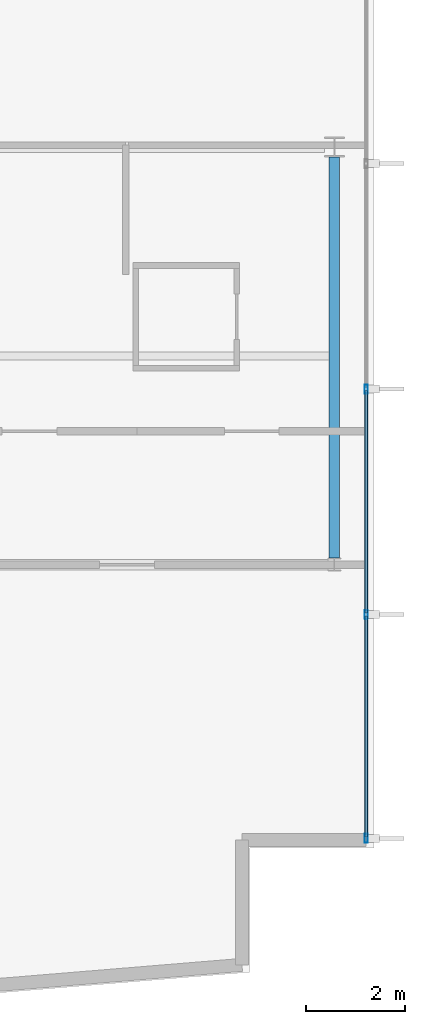
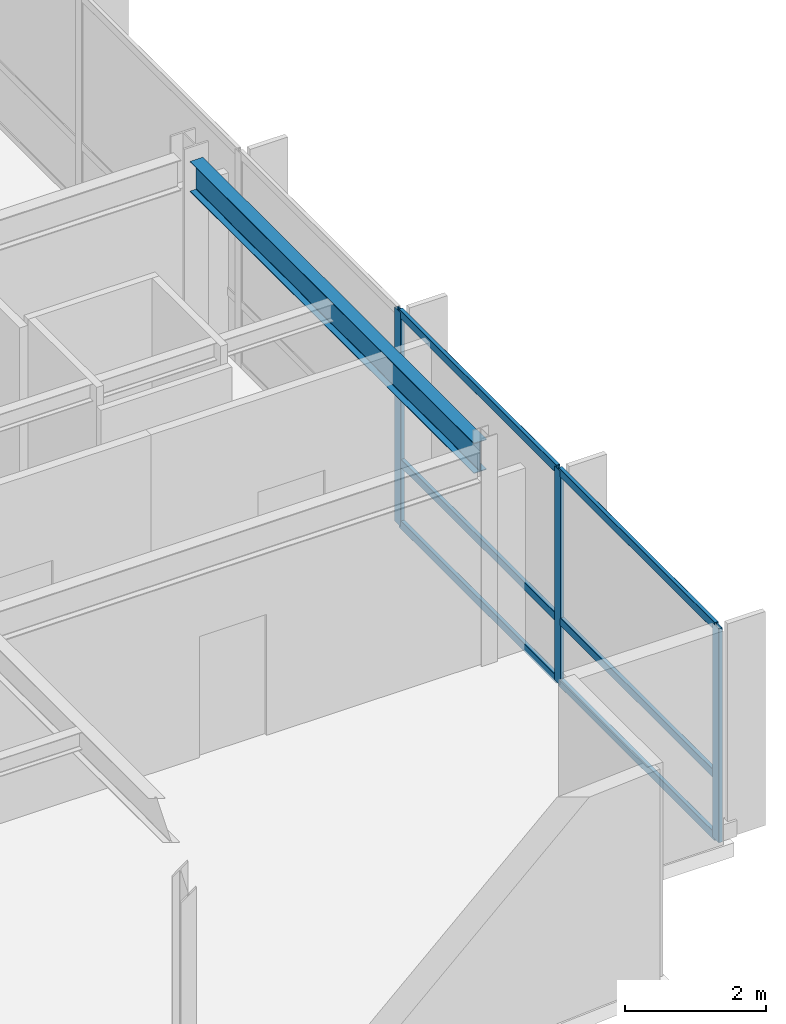
# One storey, part 5 of 17: 9 members, 1 beam, 1 element without a shape of its own.
"""IFC4 building model written with IfcOpenShell, lengths in metres."""

from ifc_helpers import new_model, si_unit, direction, frame, origin, origin_2d, place, context, subcontext, project, spatial, hollow_rectangle, i_section, extrude, material, layer, layer_set, material_profile, profile_set, type_object, element, aggregate, save


model = new_model("IFC4")

# Units and contexts
model_context = context("Model", 3, precision=1e-05, world=origin(), true_north=direction((0.0, 1.0)))
body_context = subcontext(model_context, "Body", "Model", "MODEL_VIEW")
ifc_project = project(units=[si_unit("LENGTHUNIT", "METRE"), si_unit("AREAUNIT", "SQUARE_METRE"), si_unit("VOLUMEUNIT", "CUBIC_METRE"), si_unit("PLANEANGLEUNIT", "RADIAN"), si_unit("MASSUNIT", "GRAM", prefix="KILO")], contexts=[model_context])

# Site, building, storey
site_placement = place(None, origin())
site = spatial("IfcSite", under=ifc_project, at=site_placement, CompositionType="ELEMENT")
building_placement = place(site_placement, origin())
building = spatial("IfcBuilding", under=site, at=building_placement, Name="Varnakote Quay Hospital", CompositionType="ELEMENT")
storey_placement = place(building_placement, frame((0.0, 0.0, 203.949951171875)))
storey = spatial("IfcBuildingStorey", under=building, at=storey_placement, Name="L50", CompositionType="ELEMENT", Elevation=203.949951171875)

# Beam
ifc_material_1 = material(Name="Structural steel AS/NZS 3679.1 Grade 350 L0 (fy 340 MPa)", Category="steel")
ifc_material_profile_1 = material_profile(ifc_material_1, i_section(OverallWidth=0.208984375, OverallDepth=0.528076171875, WebThickness=0.009521484375, FlangeThickness=0.01318359375, FilletRadius=0.013916015625, at=origin_2d()), Name="530UB82.0")
ifc_profile_set_1 = profile_set([ifc_material_profile_1], Name="Structural steel AS/NZS 3679.1 Grade 350 L0 (fy 340 MPa)")
beam_type = type_object("IfcBeamType", Name="BM-STL-530UB82-0", PredefinedType="BEAM", material=ifc_profile_set_1)
beam_placement = place(storey_placement, frame((50.39990234375, 12.1298828125, 3.446044921875), z_axis=(0.0, 1.0, 0.0), x_axis=(-1.0, 0.0, 0.0)))
element("IfcBeam", 1, at=beam_placement, inside=storey, type_object=beam_type, Name="L50 Primary Tie Beam", PredefinedType="BEAM", context=body_context, shape_type="SweptSolid", body=[
    extrude(i_section(OverallWidth=0.208984375, OverallDepth=0.528076171875, WebThickness=0.009521484375, FlangeThickness=0.01318359375, FilletRadius=0.013916015625, at=origin_2d()), origin(), (0.0, 0.0, 1.0), 8.068115234375),
])

# Curtain wall, members
ifc_material_2 = material(Name="Anodised aluminium 6063-T6 Bronze", Category="aluminium")
ifc_layer = layer(ifc_material_2, 0.219970703125)
ifc_layer_set = layer_set([ifc_layer], Name="Anodised aluminium 6063-T6 Bronze")
curtain_wall_type = type_object("IfcCurtainWallType", Name="CW-SYS-4", PredefinedType="NOTDEFINED", material=ifc_layer_set)
curtain_wall_placement = place(storey_placement, origin())
curtain_wall = element("IfcCurtainWall", 2, at=curtain_wall_placement, inside=storey, type_object=curtain_wall_type, Name="L50 Unitised Bronze Curtain Wall 1", PredefinedType="NOTDEFINED")
ifc_material_3 = material(Name="Anodised aluminium 6063-T6 Bronze", Category="aluminium")
ifc_material_profile_2 = material_profile(ifc_material_3, hollow_rectangle(XDim=0.06494140625, YDim=0.179931640625, WallThickness=0.00390625, InnerFilletRadius=0.00390625, OuterFilletRadius=0.008056640625, at=origin_2d()), Name="CW-MULL-180x65")
ifc_profile_set_2 = profile_set([ifc_material_profile_2], Name="Anodised aluminium 6063-T6 Bronze")
member_type_1 = type_object("IfcMemberType", Name="CW-MULL-180x65", PredefinedType="MULLION", material=ifc_profile_set_2)
member_1_placement = place(storey_placement, frame((51.0400390625, 6.492431640625, 0.0), z_axis=(0.0, 0.0, 1.0), x_axis=(-1.0, 0.0, 0.0)))
member_1 = element("IfcMember", 3, at=member_1_placement, type_object=member_type_1, Name="-4-L50-1 mullion 1", PredefinedType="MULLION", context=body_context, shape_type="SweptSolid", body=[
    extrude(hollow_rectangle(XDim=0.06494140625, YDim=0.179931640625, WallThickness=0.00390625, InnerFilletRadius=0.00390625, OuterFilletRadius=0.008056640625, at=origin_2d()), origin(), (0.0, 0.0, 1.0), 3.7099609375),
])
member_2_placement = place(storey_placement, frame((51.0400390625, 10.99609375, 0.0), z_axis=(0.0, 0.0, 1.0), x_axis=(-1.0, 0.0, 0.0)))
member_2 = element("IfcMember", 4, at=member_2_placement, type_object=member_type_1, Name="-4-L50-1 mullion 2", PredefinedType="MULLION", context=body_context, shape_type="SweptSolid", body=[
    extrude(hollow_rectangle(XDim=0.06494140625, YDim=0.179931640625, WallThickness=0.00390625, InnerFilletRadius=0.00390625, OuterFilletRadius=0.008056640625, at=origin_2d()), origin(), (0.0, 0.0, 1.0), 3.7099609375),
])
member_3_placement = place(storey_placement, frame((51.0400390625, 15.531982421875, 0.0), z_axis=(0.0, 0.0, 1.0), x_axis=(-1.0, 0.0, 0.0)))
member_3 = element("IfcMember", 5, at=member_3_placement, type_object=member_type_1, Name="-4-L50-1 mullion 3", PredefinedType="MULLION", context=body_context, shape_type="SweptSolid", body=[
    extrude(hollow_rectangle(XDim=0.06494140625, YDim=0.179931640625, WallThickness=0.00390625, InnerFilletRadius=0.00390625, OuterFilletRadius=0.008056640625, at=origin_2d()), origin(), (0.0, 0.0, 1.0), 3.7099609375),
])
ifc_material_4 = material(Name="Anodised aluminium 6063-T6 Bronze", Category="aluminium")
ifc_material_profile_3 = material_profile(ifc_material_4, hollow_rectangle(XDim=0.06494140625, YDim=0.139892578125, WallThickness=0.00390625, InnerFilletRadius=0.00390625, OuterFilletRadius=0.007568359375, at=origin_2d()), Name="CW-TRAN-140x65")
ifc_profile_set_3 = profile_set([ifc_material_profile_3], Name="Anodised aluminium 6063-T6 Bronze")
member_type_2 = type_object("IfcMemberType", Name="CW-TRAN-140x65", PredefinedType="USERDEFINED", material=ifc_profile_set_3)
member_4_placement = place(storey_placement, frame((51.0400390625, 6.52490234375, 0.032470703125), z_axis=(0.0, 1.0, 0.0), x_axis=(-1.0, 0.0, 0.0)))
member_4 = element("IfcMember", 6, at=member_4_placement, type_object=member_type_2, Name="-4-L50-1 transom 1.1", ObjectType="TRANSOM", PredefinedType="USERDEFINED", context=body_context, shape_type="SweptSolid", body=[
    extrude(hollow_rectangle(XDim=0.06494140625, YDim=0.139892578125, WallThickness=0.00390625, InnerFilletRadius=0.00390625, OuterFilletRadius=0.007568359375, at=origin_2d()), origin(), (0.0, 0.0, 1.0), 4.4384765625),
])
member_5_placement = place(storey_placement, frame((51.0400390625, 6.52490234375, 1.10009765625), z_axis=(0.0, 1.0, 0.0), x_axis=(-1.0, 0.0, 0.0)))
member_5 = element("IfcMember", 7, at=member_5_placement, type_object=member_type_2, Name="-4-L50-1 transom 1.2", ObjectType="TRANSOM", PredefinedType="USERDEFINED", context=body_context, shape_type="SweptSolid", body=[
    extrude(hollow_rectangle(XDim=0.06494140625, YDim=0.139892578125, WallThickness=0.00390625, InnerFilletRadius=0.00390625, OuterFilletRadius=0.007568359375, at=origin_2d()), origin(), (0.0, 0.0, 1.0), 4.4384765625),
])
member_6_placement = place(storey_placement, frame((51.0400390625, 6.52490234375, 3.677490234375), z_axis=(0.0, 1.0, 0.0), x_axis=(-1.0, 0.0, 0.0)))
member_6 = element("IfcMember", 8, at=member_6_placement, type_object=member_type_2, Name="-4-L50-1 transom 1.3", ObjectType="TRANSOM", PredefinedType="USERDEFINED", context=body_context, shape_type="SweptSolid", body=[
    extrude(hollow_rectangle(XDim=0.06494140625, YDim=0.139892578125, WallThickness=0.00390625, InnerFilletRadius=0.00390625, OuterFilletRadius=0.007568359375, at=origin_2d()), origin(), (0.0, 0.0, 1.0), 4.4384765625),
])
member_7_placement = place(storey_placement, frame((51.0400390625, 11.028564453125, 0.032470703125), z_axis=(0.0, 1.0, 0.0), x_axis=(-1.0, 0.0, 0.0)))
member_7 = element("IfcMember", 9, at=member_7_placement, type_object=member_type_2, Name="-4-L50-1 transom 2.1", ObjectType="TRANSOM", PredefinedType="USERDEFINED", context=body_context, shape_type="SweptSolid", body=[
    extrude(hollow_rectangle(XDim=0.06494140625, YDim=0.139892578125, WallThickness=0.00390625, InnerFilletRadius=0.00390625, OuterFilletRadius=0.007568359375, at=origin_2d()), origin(), (0.0, 0.0, 1.0), 4.470947265625),
])
member_8_placement = place(storey_placement, frame((51.0400390625, 11.028564453125, 1.10009765625), z_axis=(0.0, 1.0, 0.0), x_axis=(-1.0, 0.0, 0.0)))
member_8 = element("IfcMember", 10, at=member_8_placement, type_object=member_type_2, Name="-4-L50-1 transom 2.2", ObjectType="TRANSOM", PredefinedType="USERDEFINED", context=body_context, shape_type="SweptSolid", body=[
    extrude(hollow_rectangle(XDim=0.06494140625, YDim=0.139892578125, WallThickness=0.00390625, InnerFilletRadius=0.00390625, OuterFilletRadius=0.007568359375, at=origin_2d()), origin(), (0.0, 0.0, 1.0), 4.470947265625),
])
member_9_placement = place(storey_placement, frame((51.0400390625, 11.028564453125, 3.677490234375), z_axis=(0.0, 1.0, 0.0), x_axis=(-1.0, 0.0, 0.0)))
member_9 = element("IfcMember", 11, at=member_9_placement, type_object=member_type_2, Name="-4-L50-1 transom 2.3", ObjectType="TRANSOM", PredefinedType="USERDEFINED", context=body_context, shape_type="SweptSolid", body=[
    extrude(hollow_rectangle(XDim=0.06494140625, YDim=0.139892578125, WallThickness=0.00390625, InnerFilletRadius=0.00390625, OuterFilletRadius=0.007568359375, at=origin_2d()), origin(), (0.0, 0.0, 1.0), 4.470947265625),
])
aggregate(curtain_wall, [member_1, member_2, member_3, member_4, member_5, member_6, member_7, member_8, member_9])

save(model, "model.ifc")
